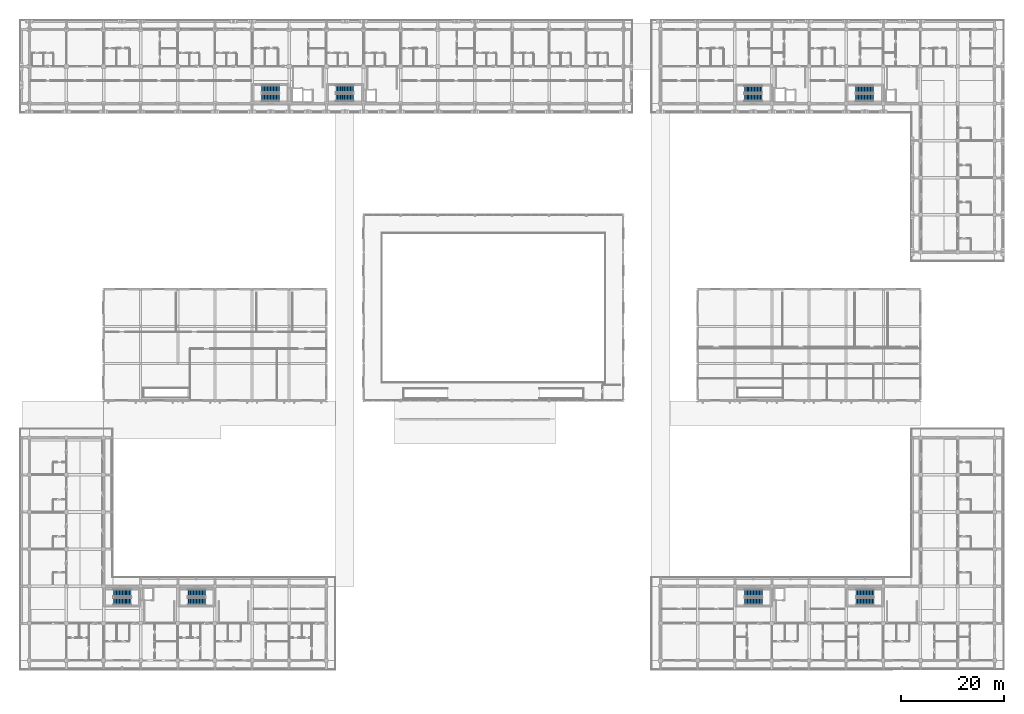
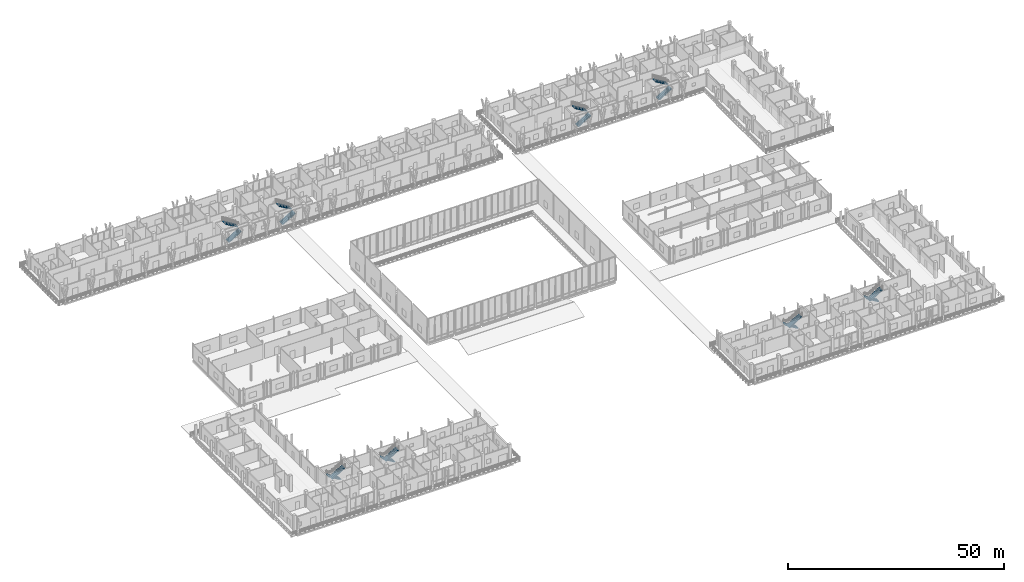
# One storey, part 92 of 110: 16 stair flights, 8 elements without a shape of their own.
"""IFC4 building model written with IfcOpenShell, lengths in metres."""

from ifc_helpers import new_model, si_unit, direction, frame, origin, place, context, subcontext, project, spatial, polyline, outline, extrude, material, type_object, element, aggregate, save


model = new_model("IFC4")

# Units and contexts
model_context = context("Model", 3, precision=1e-05, world=origin(), true_north=direction((0.0, 1.0)))
body_context = subcontext(model_context, "Body", "Model", "MODEL_VIEW")
ifc_project = project(units=[si_unit("LENGTHUNIT", "METRE"), si_unit("AREAUNIT", "SQUARE_METRE"), si_unit("VOLUMEUNIT", "CUBIC_METRE"), si_unit("PLANEANGLEUNIT", "RADIAN"), si_unit("MASSUNIT", "GRAM", prefix="KILO")], contexts=[model_context])

# Site, building, storey
site_placement = place(None, origin())
site = spatial("IfcSite", under=ifc_project, at=site_placement, CompositionType="ELEMENT")
building_placement = place(site_placement, origin())
building = spatial("IfcBuilding", under=site, at=building_placement, Name="Suanplinth Sawtooth Commons", CompositionType="ELEMENT")
storey_placement = place(building_placement, frame((0.0, 0.0, 4.5)))
storey = spatial("IfcBuildingStorey", under=building, at=storey_placement, Name="L01", CompositionType="ELEMENT", Elevation=4.5)

# Stair, stair flights
ifc_material = material(Name="Concrete C40/50", Category="concrete")
stair_type_1 = type_object("IfcStairType", Name="ST-02", PredefinedType="USERDEFINED", material=ifc_material)
stair_1_placement = place(storey_placement, origin())
stair_1 = element("IfcStair", 1, at=stair_1_placement, inside=storey, type_object=stair_type_1, Name="L01 Exit Stair ST-N1", ObjectType="TWO_RETURN_STAIR", PredefinedType="USERDEFINED")
stair_flight_type_1 = type_object("IfcStairFlightType", Name="SF-02", PredefinedType="STRAIGHT", material=ifc_material)
stair_flight_1_placement = place(storey_placement, frame((45.050048828125, 109.175048828125, 0.0), z_axis=(0.0, 0.0, 1.0), x_axis=(1.0, 0.0, 0.0)))
stair_flight_1 = element("IfcStairFlight", 2, at=stair_flight_1_placement, type_object=stair_flight_type_1, Name="ST-02 flight 1", NumberOfRisers=13, NumberOfTreads=12, PredefinedType="STRAIGHT", RiserHeight=0.173076923, TreadLength=0.285, context=body_context, shape_type="SweptSolid", body=[
    extrude(outline(polyline([(0.0, 0.0), (0.0, 0.173095703125), (0.284912109375, 0.173095703125), (0.284912109375, 0.34619140625), (0.570068359375, 0.34619140625), (0.570068359375, 0.519287109375), (0.85498046875, 0.519287109375), (0.85498046875, 0.6923828125), (1.139892578125, 0.6923828125), (1.139892578125, 0.865478515625), (1.425048828125, 0.865478515625), (1.425048828125, 1.03857421875), (1.7099609375, 1.03857421875), (1.7099609375, 1.21142578125), (1.9951171875, 1.21142578125), (1.9951171875, 1.384521484375), (2.280029296875, 1.384521484375), (2.280029296875, 1.5576171875), (2.56494140625, 1.5576171875), (2.56494140625, 1.730712890625), (2.85009765625, 1.730712890625), (2.85009765625, 1.90380859375), (3.135009765625, 1.90380859375), (3.135009765625, 2.076904296875), (3.419921875, 2.076904296875), (3.419921875, 2.25), (3.419921875, 1.889892578125), (0.30810546875, 0.0), (0.0, 0.0)])), frame((0.0, 0.72509765625, 0.0), z_axis=(0.0, -1.0, 0.0), x_axis=(1.0, 0.0, 0.0)), (0.0, 0.0, 1.0), 1.449951171875),
])
stair_flight_2_placement = place(storey_placement, frame((48.469970703125, 110.824951171875, 2.25), z_axis=(0.0, 0.0, 1.0), x_axis=(-1.0, 0.0, 0.0)))
stair_flight_2 = element("IfcStairFlight", 3, at=stair_flight_2_placement, type_object=stair_flight_type_1, Name="ST-02 flight 2", NumberOfRisers=13, NumberOfTreads=12, PredefinedType="STRAIGHT", RiserHeight=0.173076923, TreadLength=0.285, context=body_context, shape_type="SweptSolid", body=[
    extrude(outline(polyline([(0.0, 0.0), (0.0, 0.173095703125), (0.284912109375, 0.173095703125), (0.284912109375, 0.34619140625), (0.570068359375, 0.34619140625), (0.570068359375, 0.519287109375), (0.85498046875, 0.519287109375), (0.85498046875, 0.6923828125), (1.139892578125, 0.6923828125), (1.139892578125, 0.865478515625), (1.425048828125, 0.865478515625), (1.425048828125, 1.03857421875), (1.7099609375, 1.03857421875), (1.7099609375, 1.21142578125), (1.9951171875, 1.21142578125), (1.9951171875, 1.384521484375), (2.280029296875, 1.384521484375), (2.280029296875, 1.5576171875), (2.56494140625, 1.5576171875), (2.56494140625, 1.730712890625), (2.85009765625, 1.730712890625), (2.85009765625, 1.90380859375), (3.135009765625, 1.90380859375), (3.135009765625, 2.076904296875), (3.419921875, 2.076904296875), (3.419921875, 2.25), (3.419921875, 1.889892578125), (0.30810546875, 0.0), (0.0, 0.0)])), frame((0.0, 0.72509765625, 0.0), z_axis=(0.0, -1.0, 0.0), x_axis=(1.0, 0.0, 0.0)), (0.0, 0.0, 1.0), 1.449951171875),
])
aggregate(stair_1, [stair_flight_1, stair_flight_2])

stair_2_placement = place(storey_placement, origin())
stair_2 = element("IfcStair", 4, at=stair_2_placement, inside=storey, type_object=stair_type_1, Name="L01 Exit Stair ST-N2", ObjectType="TWO_RETURN_STAIR", PredefinedType="USERDEFINED")
stair_flight_3_placement = place(storey_placement, frame((59.449951171875, 109.175048828125, 0.0), z_axis=(0.0, 0.0, 1.0), x_axis=(1.0, 0.0, 0.0)))
stair_flight_3 = element("IfcStairFlight", 5, at=stair_flight_3_placement, type_object=stair_flight_type_1, Name="ST-02 flight 1", NumberOfRisers=13, NumberOfTreads=12, PredefinedType="STRAIGHT", RiserHeight=0.173076923, TreadLength=0.285, context=body_context, shape_type="SweptSolid", body=[
    extrude(outline(polyline([(0.0, 0.0), (0.0, 0.173095703125), (0.284912109375, 0.173095703125), (0.284912109375, 0.34619140625), (0.570068359375, 0.34619140625), (0.570068359375, 0.519287109375), (0.85498046875, 0.519287109375), (0.85498046875, 0.6923828125), (1.139892578125, 0.6923828125), (1.139892578125, 0.865478515625), (1.425048828125, 0.865478515625), (1.425048828125, 1.03857421875), (1.7099609375, 1.03857421875), (1.7099609375, 1.21142578125), (1.9951171875, 1.21142578125), (1.9951171875, 1.384521484375), (2.280029296875, 1.384521484375), (2.280029296875, 1.5576171875), (2.56494140625, 1.5576171875), (2.56494140625, 1.730712890625), (2.85009765625, 1.730712890625), (2.85009765625, 1.90380859375), (3.135009765625, 1.90380859375), (3.135009765625, 2.076904296875), (3.419921875, 2.076904296875), (3.419921875, 2.25), (3.419921875, 1.889892578125), (0.30810546875, 0.0), (0.0, 0.0)])), frame((0.0, 0.72509765625, 0.0), z_axis=(0.0, -1.0, 0.0), x_axis=(1.0, 0.0, 0.0)), (0.0, 0.0, 1.0), 1.449951171875),
])
stair_flight_4_placement = place(storey_placement, frame((62.8701171875, 110.824951171875, 2.25), z_axis=(0.0, 0.0, 1.0), x_axis=(-1.0, 0.0, 0.0)))
stair_flight_4 = element("IfcStairFlight", 6, at=stair_flight_4_placement, type_object=stair_flight_type_1, Name="ST-02 flight 2", NumberOfRisers=13, NumberOfTreads=12, PredefinedType="STRAIGHT", RiserHeight=0.173076923, TreadLength=0.285, context=body_context, shape_type="SweptSolid", body=[
    extrude(outline(polyline([(0.0, 0.0), (0.0, 0.173095703125), (0.284912109375, 0.173095703125), (0.284912109375, 0.34619140625), (0.570068359375, 0.34619140625), (0.570068359375, 0.519287109375), (0.85498046875, 0.519287109375), (0.85498046875, 0.6923828125), (1.139892578125, 0.6923828125), (1.139892578125, 0.865478515625), (1.425048828125, 0.865478515625), (1.425048828125, 1.03857421875), (1.7099609375, 1.03857421875), (1.7099609375, 1.21142578125), (1.9951171875, 1.21142578125), (1.9951171875, 1.384521484375), (2.280029296875, 1.384521484375), (2.280029296875, 1.5576171875), (2.56494140625, 1.5576171875), (2.56494140625, 1.730712890625), (2.85009765625, 1.730712890625), (2.85009765625, 1.90380859375), (3.135009765625, 1.90380859375), (3.135009765625, 2.076904296875), (3.419921875, 2.076904296875), (3.419921875, 2.25), (3.419921875, 1.889892578125), (0.30810546875, 0.0), (0.0, 0.0)])), frame((0.0, 0.72509765625, 0.0), z_axis=(0.0, -1.0, 0.0), x_axis=(1.0, 0.0, 0.0)), (0.0, 0.0, 1.0), 1.449951171875),
])
aggregate(stair_2, [stair_flight_3, stair_flight_4])

stair_type_2 = type_object("IfcStairType", Name="ST-06", PredefinedType="USERDEFINED", material=ifc_material)
stair_3_placement = place(storey_placement, origin())
stair_3 = element("IfcStair", 7, at=stair_3_placement, inside=storey, type_object=stair_type_2, Name="L01 Exit Stair ST-E1", ObjectType="TWO_RETURN_STAIR", PredefinedType="USERDEFINED")
stair_flight_type_2 = type_object("IfcStairFlightType", Name="SF-06", PredefinedType="STRAIGHT", material=ifc_material)
stair_flight_5_placement = place(storey_placement, frame((138.64990234375, 109.14990234375, 0.0), z_axis=(0.0, 0.0, 1.0), x_axis=(1.0, 0.0, 0.0)))
stair_flight_5 = element("IfcStairFlight", 8, at=stair_flight_5_placement, type_object=stair_flight_type_2, Name="ST-06 flight 1", NumberOfRisers=13, NumberOfTreads=12, PredefinedType="STRAIGHT", RiserHeight=0.173076923, TreadLength=0.285, context=body_context, shape_type="SweptSolid", body=[
    extrude(outline(polyline([(0.0, 0.0), (0.0, 0.173095703125), (0.284912109375, 0.173095703125), (0.284912109375, 0.34619140625), (0.570068359375, 0.34619140625), (0.570068359375, 0.519287109375), (0.85498046875, 0.519287109375), (0.85498046875, 0.6923828125), (1.139892578125, 0.6923828125), (1.139892578125, 0.865478515625), (1.425048828125, 0.865478515625), (1.425048828125, 1.03857421875), (1.7099609375, 1.03857421875), (1.7099609375, 1.21142578125), (1.9951171875, 1.21142578125), (1.9951171875, 1.384521484375), (2.280029296875, 1.384521484375), (2.280029296875, 1.5576171875), (2.56494140625, 1.5576171875), (2.56494140625, 1.730712890625), (2.85009765625, 1.730712890625), (2.85009765625, 1.90380859375), (3.135009765625, 1.90380859375), (3.135009765625, 2.076904296875), (3.419921875, 2.076904296875), (3.419921875, 2.25), (3.419921875, 1.889892578125), (0.30810546875, 0.0), (0.0, 0.0)])), frame((0.0, 0.699951171875, 0.0), z_axis=(0.0, -1.0, 0.0), x_axis=(1.0, 0.0, 0.0)), (0.0, 0.0, 1.0), 1.39990234375),
])
stair_flight_6_placement = place(storey_placement, frame((142.070068359375, 110.75, 2.25), z_axis=(0.0, 0.0, 1.0), x_axis=(-1.0, 0.0, 0.0)))
stair_flight_6 = element("IfcStairFlight", 9, at=stair_flight_6_placement, type_object=stair_flight_type_2, Name="ST-06 flight 2", NumberOfRisers=13, NumberOfTreads=12, PredefinedType="STRAIGHT", RiserHeight=0.173076923, TreadLength=0.285, context=body_context, shape_type="SweptSolid", body=[
    extrude(outline(polyline([(0.0, 0.0), (0.0, 0.173095703125), (0.284912109375, 0.173095703125), (0.284912109375, 0.34619140625), (0.570068359375, 0.34619140625), (0.570068359375, 0.519287109375), (0.85498046875, 0.519287109375), (0.85498046875, 0.6923828125), (1.139892578125, 0.6923828125), (1.139892578125, 0.865478515625), (1.425048828125, 0.865478515625), (1.425048828125, 1.03857421875), (1.7099609375, 1.03857421875), (1.7099609375, 1.21142578125), (1.9951171875, 1.21142578125), (1.9951171875, 1.384521484375), (2.280029296875, 1.384521484375), (2.280029296875, 1.5576171875), (2.56494140625, 1.5576171875), (2.56494140625, 1.730712890625), (2.85009765625, 1.730712890625), (2.85009765625, 1.90380859375), (3.135009765625, 1.90380859375), (3.135009765625, 2.076904296875), (3.419921875, 2.076904296875), (3.419921875, 2.25), (3.419921875, 1.889892578125), (0.30810546875, 0.0), (0.0, 0.0)])), frame((0.0, 0.699951171875, 0.0), z_axis=(0.0, -1.0, 0.0), x_axis=(1.0, 0.0, 0.0)), (0.0, 0.0, 1.0), 1.39990234375),
])
aggregate(stair_3, [stair_flight_5, stair_flight_6])

stair_4_placement = place(storey_placement, origin())
stair_4 = element("IfcStair", 10, at=stair_4_placement, inside=storey, type_object=stair_type_2, Name="L01 Exit Stair ST-E2", ObjectType="TWO_RETURN_STAIR", PredefinedType="USERDEFINED")
stair_flight_7_placement = place(storey_placement, frame((160.25, 109.14990234375, 0.0), z_axis=(0.0, 0.0, 1.0), x_axis=(1.0, 0.0, 0.0)))
stair_flight_7 = element("IfcStairFlight", 11, at=stair_flight_7_placement, type_object=stair_flight_type_2, Name="ST-06 flight 1", NumberOfRisers=13, NumberOfTreads=12, PredefinedType="STRAIGHT", RiserHeight=0.173076923, TreadLength=0.285, context=body_context, shape_type="SweptSolid", body=[
    extrude(outline(polyline([(0.0, 0.0), (0.0, 0.173095703125), (0.284912109375, 0.173095703125), (0.284912109375, 0.34619140625), (0.570068359375, 0.34619140625), (0.570068359375, 0.519287109375), (0.85498046875, 0.519287109375), (0.85498046875, 0.6923828125), (1.139892578125, 0.6923828125), (1.139892578125, 0.865478515625), (1.425048828125, 0.865478515625), (1.425048828125, 1.03857421875), (1.7099609375, 1.03857421875), (1.7099609375, 1.21142578125), (1.9951171875, 1.21142578125), (1.9951171875, 1.384521484375), (2.280029296875, 1.384521484375), (2.280029296875, 1.5576171875), (2.56494140625, 1.5576171875), (2.56494140625, 1.730712890625), (2.85009765625, 1.730712890625), (2.85009765625, 1.90380859375), (3.135009765625, 1.90380859375), (3.135009765625, 2.076904296875), (3.419921875, 2.076904296875), (3.419921875, 2.25), (3.419921875, 1.889892578125), (0.30810546875, 0.0), (0.0, 0.0)])), frame((0.0, 0.699951171875, 0.0), z_axis=(0.0, -1.0, 0.0), x_axis=(1.0, 0.0, 0.0)), (0.0, 0.0, 1.0), 1.39990234375),
])
stair_flight_8_placement = place(storey_placement, frame((163.669921875, 110.75, 2.25), z_axis=(0.0, 0.0, 1.0), x_axis=(-1.0, 0.0, 0.0)))
stair_flight_8 = element("IfcStairFlight", 12, at=stair_flight_8_placement, type_object=stair_flight_type_2, Name="ST-06 flight 2", NumberOfRisers=13, NumberOfTreads=12, PredefinedType="STRAIGHT", RiserHeight=0.173076923, TreadLength=0.285, context=body_context, shape_type="SweptSolid", body=[
    extrude(outline(polyline([(0.0, 0.0), (0.0, 0.173095703125), (0.284912109375, 0.173095703125), (0.284912109375, 0.34619140625), (0.570068359375, 0.34619140625), (0.570068359375, 0.519287109375), (0.85498046875, 0.519287109375), (0.85498046875, 0.6923828125), (1.139892578125, 0.6923828125), (1.139892578125, 0.865478515625), (1.425048828125, 0.865478515625), (1.425048828125, 1.03857421875), (1.7099609375, 1.03857421875), (1.7099609375, 1.21142578125), (1.9951171875, 1.21142578125), (1.9951171875, 1.384521484375), (2.280029296875, 1.384521484375), (2.280029296875, 1.5576171875), (2.56494140625, 1.5576171875), (2.56494140625, 1.730712890625), (2.85009765625, 1.730712890625), (2.85009765625, 1.90380859375), (3.135009765625, 1.90380859375), (3.135009765625, 2.076904296875), (3.419921875, 2.076904296875), (3.419921875, 2.25), (3.419921875, 1.889892578125), (0.30810546875, 0.0), (0.0, 0.0)])), frame((0.0, 0.699951171875, 0.0), z_axis=(0.0, -1.0, 0.0), x_axis=(1.0, 0.0, 0.0)), (0.0, 0.0, 1.0), 1.39990234375),
])
aggregate(stair_4, [stair_flight_7, stair_flight_8])

stair_5_placement = place(storey_placement, origin())
stair_5 = element("IfcStair", 13, at=stair_5_placement, inside=storey, type_object=stair_type_2, Name="L01 Exit Stair ST-S1", ObjectType="TWO_RETURN_STAIR", PredefinedType="USERDEFINED")
stair_flight_9_placement = place(storey_placement, frame((142.14990234375, 13.050048828125, 0.0), z_axis=(0.0, 0.0, 1.0), x_axis=(-1.0, 0.0, 0.0)))
stair_flight_9 = element("IfcStairFlight", 14, at=stair_flight_9_placement, type_object=stair_flight_type_2, Name="ST-06 flight 1", NumberOfRisers=13, NumberOfTreads=12, PredefinedType="STRAIGHT", RiserHeight=0.173076923, TreadLength=0.285, context=body_context, shape_type="SweptSolid", body=[
    extrude(outline(polyline([(0.0, 0.0), (0.0, 0.173095703125), (0.284912109375, 0.173095703125), (0.284912109375, 0.34619140625), (0.570068359375, 0.34619140625), (0.570068359375, 0.519287109375), (0.85498046875, 0.519287109375), (0.85498046875, 0.6923828125), (1.139892578125, 0.6923828125), (1.139892578125, 0.865478515625), (1.425048828125, 0.865478515625), (1.425048828125, 1.03857421875), (1.7099609375, 1.03857421875), (1.7099609375, 1.21142578125), (1.9951171875, 1.21142578125), (1.9951171875, 1.384521484375), (2.280029296875, 1.384521484375), (2.280029296875, 1.5576171875), (2.56494140625, 1.5576171875), (2.56494140625, 1.730712890625), (2.85009765625, 1.730712890625), (2.85009765625, 1.90380859375), (3.135009765625, 1.90380859375), (3.135009765625, 2.076904296875), (3.419921875, 2.076904296875), (3.419921875, 2.25), (3.419921875, 1.889892578125), (0.30810546875, 0.0), (0.0, 0.0)])), frame((0.0, 0.699951171875, 0.0), z_axis=(0.0, -1.0, 0.0), x_axis=(1.0, 0.0, 0.0)), (0.0, 0.0, 1.0), 1.39990234375),
])
stair_flight_10_placement = place(storey_placement, frame((138.72998046875, 11.449951171875, 2.25), z_axis=(0.0, 0.0, 1.0), x_axis=(1.0, 0.0, 0.0)))
stair_flight_10 = element("IfcStairFlight", 15, at=stair_flight_10_placement, type_object=stair_flight_type_2, Name="ST-06 flight 2", NumberOfRisers=13, NumberOfTreads=12, PredefinedType="STRAIGHT", RiserHeight=0.173076923, TreadLength=0.285, context=body_context, shape_type="SweptSolid", body=[
    extrude(outline(polyline([(0.0, 0.0), (0.0, 0.173095703125), (0.284912109375, 0.173095703125), (0.284912109375, 0.34619140625), (0.570068359375, 0.34619140625), (0.570068359375, 0.519287109375), (0.85498046875, 0.519287109375), (0.85498046875, 0.6923828125), (1.139892578125, 0.6923828125), (1.139892578125, 0.865478515625), (1.425048828125, 0.865478515625), (1.425048828125, 1.03857421875), (1.7099609375, 1.03857421875), (1.7099609375, 1.21142578125), (1.9951171875, 1.21142578125), (1.9951171875, 1.384521484375), (2.280029296875, 1.384521484375), (2.280029296875, 1.5576171875), (2.56494140625, 1.5576171875), (2.56494140625, 1.730712890625), (2.85009765625, 1.730712890625), (2.85009765625, 1.90380859375), (3.135009765625, 1.90380859375), (3.135009765625, 2.076904296875), (3.419921875, 2.076904296875), (3.419921875, 2.25), (3.419921875, 1.889892578125), (0.30810546875, 0.0), (0.0, 0.0)])), frame((0.0, 0.699951171875, 0.0), z_axis=(0.0, -1.0, 0.0), x_axis=(1.0, 0.0, 0.0)), (0.0, 0.0, 1.0), 1.39990234375),
])
aggregate(stair_5, [stair_flight_9, stair_flight_10])

stair_6_placement = place(storey_placement, origin())
stair_6 = element("IfcStair", 16, at=stair_6_placement, inside=storey, type_object=stair_type_2, Name="L01 Exit Stair ST-S2", ObjectType="TWO_RETURN_STAIR", PredefinedType="USERDEFINED")
stair_flight_11_placement = place(storey_placement, frame((163.75, 13.050048828125, 0.0), z_axis=(0.0, 0.0, 1.0), x_axis=(-1.0, 0.0, 0.0)))
stair_flight_11 = element("IfcStairFlight", 17, at=stair_flight_11_placement, type_object=stair_flight_type_2, Name="ST-06 flight 1", NumberOfRisers=13, NumberOfTreads=12, PredefinedType="STRAIGHT", RiserHeight=0.173076923, TreadLength=0.285, context=body_context, shape_type="SweptSolid", body=[
    extrude(outline(polyline([(0.0, 0.0), (0.0, 0.173095703125), (0.284912109375, 0.173095703125), (0.284912109375, 0.34619140625), (0.570068359375, 0.34619140625), (0.570068359375, 0.519287109375), (0.85498046875, 0.519287109375), (0.85498046875, 0.6923828125), (1.139892578125, 0.6923828125), (1.139892578125, 0.865478515625), (1.425048828125, 0.865478515625), (1.425048828125, 1.03857421875), (1.7099609375, 1.03857421875), (1.7099609375, 1.21142578125), (1.9951171875, 1.21142578125), (1.9951171875, 1.384521484375), (2.280029296875, 1.384521484375), (2.280029296875, 1.5576171875), (2.56494140625, 1.5576171875), (2.56494140625, 1.730712890625), (2.85009765625, 1.730712890625), (2.85009765625, 1.90380859375), (3.135009765625, 1.90380859375), (3.135009765625, 2.076904296875), (3.419921875, 2.076904296875), (3.419921875, 2.25), (3.419921875, 1.889892578125), (0.30810546875, 0.0), (0.0, 0.0)])), frame((0.0, 0.699951171875, 0.0), z_axis=(0.0, -1.0, 0.0), x_axis=(1.0, 0.0, 0.0)), (0.0, 0.0, 1.0), 1.39990234375),
])
stair_flight_12_placement = place(storey_placement, frame((160.330078125, 11.449951171875, 2.25), z_axis=(0.0, 0.0, 1.0), x_axis=(1.0, 0.0, 0.0)))
stair_flight_12 = element("IfcStairFlight", 18, at=stair_flight_12_placement, type_object=stair_flight_type_2, Name="ST-06 flight 2", NumberOfRisers=13, NumberOfTreads=12, PredefinedType="STRAIGHT", RiserHeight=0.173076923, TreadLength=0.285, context=body_context, shape_type="SweptSolid", body=[
    extrude(outline(polyline([(0.0, 0.0), (0.0, 0.173095703125), (0.284912109375, 0.173095703125), (0.284912109375, 0.34619140625), (0.570068359375, 0.34619140625), (0.570068359375, 0.519287109375), (0.85498046875, 0.519287109375), (0.85498046875, 0.6923828125), (1.139892578125, 0.6923828125), (1.139892578125, 0.865478515625), (1.425048828125, 0.865478515625), (1.425048828125, 1.03857421875), (1.7099609375, 1.03857421875), (1.7099609375, 1.21142578125), (1.9951171875, 1.21142578125), (1.9951171875, 1.384521484375), (2.280029296875, 1.384521484375), (2.280029296875, 1.5576171875), (2.56494140625, 1.5576171875), (2.56494140625, 1.730712890625), (2.85009765625, 1.730712890625), (2.85009765625, 1.90380859375), (3.135009765625, 1.90380859375), (3.135009765625, 2.076904296875), (3.419921875, 2.076904296875), (3.419921875, 2.25), (3.419921875, 1.889892578125), (0.30810546875, 0.0), (0.0, 0.0)])), frame((0.0, 0.699951171875, 0.0), z_axis=(0.0, -1.0, 0.0), x_axis=(1.0, 0.0, 0.0)), (0.0, 0.0, 1.0), 1.39990234375),
])
aggregate(stair_6, [stair_flight_11, stair_flight_12])

stair_7_placement = place(storey_placement, origin())
stair_7 = element("IfcStair", 19, at=stair_7_placement, inside=storey, type_object=stair_type_2, Name="L01 Exit Stair ST-W1", ObjectType="TWO_RETURN_STAIR", PredefinedType="USERDEFINED")
stair_flight_13_placement = place(storey_placement, frame((19.75, 13.050048828125, 0.0), z_axis=(0.0, 0.0, 1.0), x_axis=(-1.0, 0.0, 0.0)))
stair_flight_13 = element("IfcStairFlight", 20, at=stair_flight_13_placement, type_object=stair_flight_type_2, Name="ST-06 flight 1", NumberOfRisers=13, NumberOfTreads=12, PredefinedType="STRAIGHT", RiserHeight=0.173076923, TreadLength=0.285, context=body_context, shape_type="SweptSolid", body=[
    extrude(outline(polyline([(0.0, 0.0), (0.0, 0.173095703125), (0.284912109375, 0.173095703125), (0.284912109375, 0.34619140625), (0.570068359375, 0.34619140625), (0.570068359375, 0.519287109375), (0.85498046875, 0.519287109375), (0.85498046875, 0.6923828125), (1.139892578125, 0.6923828125), (1.139892578125, 0.865478515625), (1.425048828125, 0.865478515625), (1.425048828125, 1.03857421875), (1.7099609375, 1.03857421875), (1.7099609375, 1.21142578125), (1.9951171875, 1.21142578125), (1.9951171875, 1.384521484375), (2.280029296875, 1.384521484375), (2.280029296875, 1.5576171875), (2.56494140625, 1.5576171875), (2.56494140625, 1.730712890625), (2.85009765625, 1.730712890625), (2.85009765625, 1.90380859375), (3.135009765625, 1.90380859375), (3.135009765625, 2.076904296875), (3.419921875, 2.076904296875), (3.419921875, 2.25), (3.419921875, 1.889892578125), (0.30810546875, 0.0), (0.0, 0.0)])), frame((0.0, 0.699951171875, 0.0), z_axis=(0.0, -1.0, 0.0), x_axis=(1.0, 0.0, 0.0)), (0.0, 0.0, 1.0), 1.39990234375),
])
stair_flight_14_placement = place(storey_placement, frame((16.330078125, 11.449951171875, 2.25), z_axis=(0.0, 0.0, 1.0), x_axis=(1.0, 0.0, 0.0)))
stair_flight_14 = element("IfcStairFlight", 21, at=stair_flight_14_placement, type_object=stair_flight_type_2, Name="ST-06 flight 2", NumberOfRisers=13, NumberOfTreads=12, PredefinedType="STRAIGHT", RiserHeight=0.173076923, TreadLength=0.285, context=body_context, shape_type="SweptSolid", body=[
    extrude(outline(polyline([(0.0, 0.0), (0.0, 0.173095703125), (0.284912109375, 0.173095703125), (0.284912109375, 0.34619140625), (0.570068359375, 0.34619140625), (0.570068359375, 0.519287109375), (0.85498046875, 0.519287109375), (0.85498046875, 0.6923828125), (1.139892578125, 0.6923828125), (1.139892578125, 0.865478515625), (1.425048828125, 0.865478515625), (1.425048828125, 1.03857421875), (1.7099609375, 1.03857421875), (1.7099609375, 1.21142578125), (1.9951171875, 1.21142578125), (1.9951171875, 1.384521484375), (2.280029296875, 1.384521484375), (2.280029296875, 1.5576171875), (2.56494140625, 1.5576171875), (2.56494140625, 1.730712890625), (2.85009765625, 1.730712890625), (2.85009765625, 1.90380859375), (3.135009765625, 1.90380859375), (3.135009765625, 2.076904296875), (3.419921875, 2.076904296875), (3.419921875, 2.25), (3.419921875, 1.889892578125), (0.30810546875, 0.0), (0.0, 0.0)])), frame((0.0, 0.699951171875, 0.0), z_axis=(0.0, -1.0, 0.0), x_axis=(1.0, 0.0, 0.0)), (0.0, 0.0, 1.0), 1.39990234375),
])
aggregate(stair_7, [stair_flight_13, stair_flight_14])

stair_8_placement = place(storey_placement, origin())
stair_8 = element("IfcStair", 22, at=stair_8_placement, inside=storey, type_object=stair_type_2, Name="L01 Exit Stair ST-W2", ObjectType="TWO_RETURN_STAIR", PredefinedType="USERDEFINED")
stair_flight_15_placement = place(storey_placement, frame((34.14990234375, 13.050048828125, 0.0), z_axis=(0.0, 0.0, 1.0), x_axis=(-1.0, 0.0, 0.0)))
stair_flight_15 = element("IfcStairFlight", 23, at=stair_flight_15_placement, type_object=stair_flight_type_2, Name="ST-06 flight 1", NumberOfRisers=13, NumberOfTreads=12, PredefinedType="STRAIGHT", RiserHeight=0.173076923, TreadLength=0.285, context=body_context, shape_type="SweptSolid", body=[
    extrude(outline(polyline([(0.0, 0.0), (0.0, 0.173095703125), (0.284912109375, 0.173095703125), (0.284912109375, 0.34619140625), (0.570068359375, 0.34619140625), (0.570068359375, 0.519287109375), (0.85498046875, 0.519287109375), (0.85498046875, 0.6923828125), (1.139892578125, 0.6923828125), (1.139892578125, 0.865478515625), (1.425048828125, 0.865478515625), (1.425048828125, 1.03857421875), (1.7099609375, 1.03857421875), (1.7099609375, 1.21142578125), (1.9951171875, 1.21142578125), (1.9951171875, 1.384521484375), (2.280029296875, 1.384521484375), (2.280029296875, 1.5576171875), (2.56494140625, 1.5576171875), (2.56494140625, 1.730712890625), (2.85009765625, 1.730712890625), (2.85009765625, 1.90380859375), (3.135009765625, 1.90380859375), (3.135009765625, 2.076904296875), (3.419921875, 2.076904296875), (3.419921875, 2.25), (3.419921875, 1.889892578125), (0.30810546875, 0.0), (0.0, 0.0)])), frame((0.0, 0.699951171875, 0.0), z_axis=(0.0, -1.0, 0.0), x_axis=(1.0, 0.0, 0.0)), (0.0, 0.0, 1.0), 1.39990234375),
])
stair_flight_16_placement = place(storey_placement, frame((30.72998046875, 11.449951171875, 2.25), z_axis=(0.0, 0.0, 1.0), x_axis=(1.0, 0.0, 0.0)))
stair_flight_16 = element("IfcStairFlight", 24, at=stair_flight_16_placement, type_object=stair_flight_type_2, Name="ST-06 flight 2", NumberOfRisers=13, NumberOfTreads=12, PredefinedType="STRAIGHT", RiserHeight=0.173076923, TreadLength=0.285, context=body_context, shape_type="SweptSolid", body=[
    extrude(outline(polyline([(0.0, 0.0), (0.0, 0.173095703125), (0.284912109375, 0.173095703125), (0.284912109375, 0.34619140625), (0.570068359375, 0.34619140625), (0.570068359375, 0.519287109375), (0.85498046875, 0.519287109375), (0.85498046875, 0.6923828125), (1.139892578125, 0.6923828125), (1.139892578125, 0.865478515625), (1.425048828125, 0.865478515625), (1.425048828125, 1.03857421875), (1.7099609375, 1.03857421875), (1.7099609375, 1.21142578125), (1.9951171875, 1.21142578125), (1.9951171875, 1.384521484375), (2.280029296875, 1.384521484375), (2.280029296875, 1.5576171875), (2.56494140625, 1.5576171875), (2.56494140625, 1.730712890625), (2.85009765625, 1.730712890625), (2.85009765625, 1.90380859375), (3.135009765625, 1.90380859375), (3.135009765625, 2.076904296875), (3.419921875, 2.076904296875), (3.419921875, 2.25), (3.419921875, 1.889892578125), (0.30810546875, 0.0), (0.0, 0.0)])), frame((0.0, 0.699951171875, 0.0), z_axis=(0.0, -1.0, 0.0), x_axis=(1.0, 0.0, 0.0)), (0.0, 0.0, 1.0), 1.39990234375),
])
aggregate(stair_8, [stair_flight_15, stair_flight_16])

save(model, "model.ifc")
